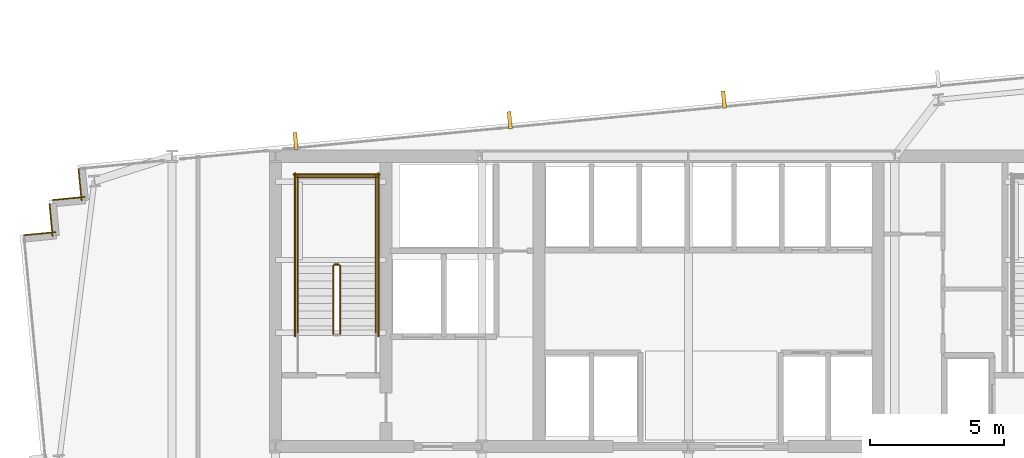
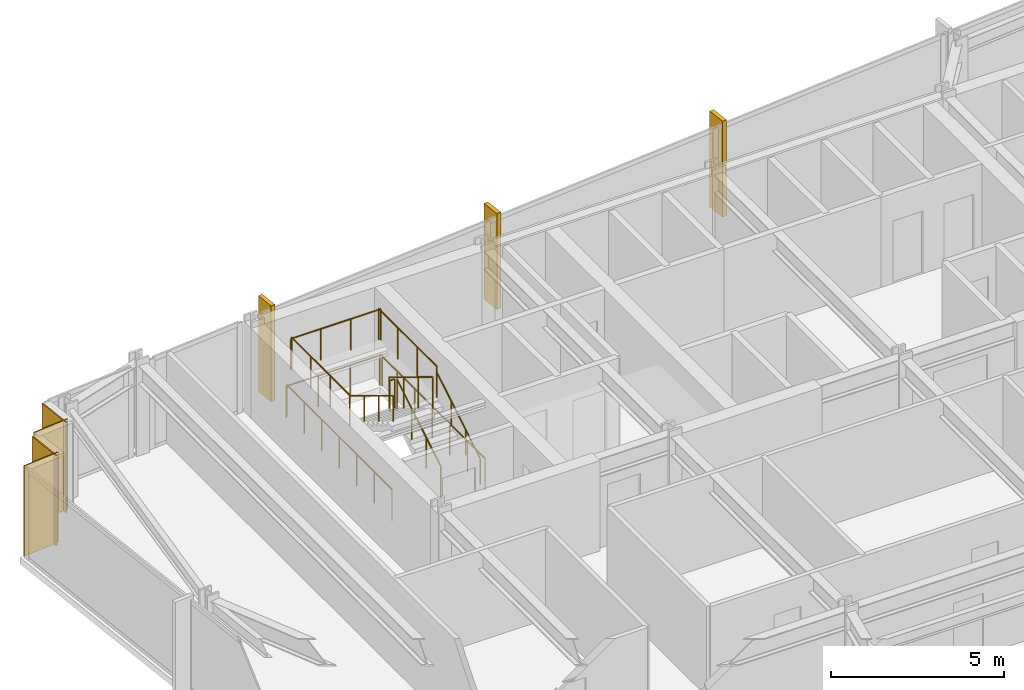
# One storey, part 31 of 32: 11 railings, 4 coverings, 3 shading devices.
"""IFC4 building model written with IfcOpenShell, lengths in metres."""

from ifc_helpers import new_model, si_unit, direction, frame, frame_2d, origin, origin_2d, place, context, subcontext, project, spatial, rectangle, circle, extrude, material, layer, layer_set, type_object, element, save


model = new_model("IFC4")

# Units and contexts
model_context = context("Model", 3, precision=1e-05, world=origin(), true_north=direction((0.0, 1.0)))
body_context = subcontext(model_context, "Body", "Model", "MODEL_VIEW")
ifc_project = project(units=[si_unit("LENGTHUNIT", "METRE"), si_unit("AREAUNIT", "SQUARE_METRE"), si_unit("VOLUMEUNIT", "CUBIC_METRE"), si_unit("PLANEANGLEUNIT", "RADIAN"), si_unit("MASSUNIT", "GRAM", prefix="KILO")], contexts=[model_context])

# Site, building, storey
site_placement = place(None, origin())
site = spatial("IfcSite", under=ifc_project, at=site_placement, CompositionType="ELEMENT")
building_placement = place(site_placement, origin())
building = spatial("IfcBuilding", under=site, at=building_placement, Name="Yelkora Congress Tower", CompositionType="ELEMENT")
storey_placement = place(building_placement, frame((0.0, 0.0, 93.10009765625)))
storey = spatial("IfcBuildingStorey", under=building, at=storey_placement, Name="L24", CompositionType="ELEMENT", Elevation=93.10009765625)

# Coverings
ifc_material_1 = material(Name="Anatolian bush-hammered limestone", Category="masonry")
ifc_layer_1 = layer(ifc_material_1, 0.0400390625)
ifc_layer_set_1 = layer_set([ifc_layer_1], Name="Anatolian bush-hammered limestone")
covering_type = type_object("IfcCoveringType", Name="COV-CLAD-SPANDREL-40", PredefinedType="CLADDING", material=ifc_layer_set_1)
for number, where, z_axis, x_axis, name in (
    (1, (13.677978515625, 43.260986328125, 0.0), (0.0, 0.0, 1.0), (0.995397091755, 0.095836473879, 0.0), "L24 Anatolian Limestone Cladding EW-L24-SR06"),
    (2, (14.7509765625, 43.228759765625, 0.0), (0.0, 0.0, 1.0), (-0.095836473879, 0.995397091755, 0.0), "L24 Anatolian Limestone Cladding EW-L24-SR07"),
):
    element("IfcCovering", number, at=place(storey_placement, frame(where, z_axis=z_axis, x_axis=x_axis)), inside=storey, type_object=covering_type, Name=name, PredefinedType="CLADDING", context=body_context, shape_type="SweptSolid", body=[
        extrude(rectangle(XDim=1.199951171875, YDim=0.0400390625, at=frame_2d((0.60009765625, 0.0))), origin(), (0.0, 0.0, 1.0), 3.179931640625),
    ])
for number, where, z_axis, x_axis, name in (
    (3, (14.75732421875, 44.570556640625, 0.0), (0.0, 0.0, 1.0), (0.995398960025, 0.095817067274, 0.0), "L24 Anatolian Limestone Cladding EW-L24-SR08"),
    (4, (15.830322265625, 44.5380859375, 0.0), (0.0, 0.0, 1.0), (-0.095817067274, 0.995398960025, 0.0), "L24 Anatolian Limestone Cladding EW-L24-SR09"),
):
    element("IfcCovering", number, at=place(storey_placement, frame(where, z_axis=z_axis, x_axis=x_axis)), inside=storey, type_object=covering_type, Name=name, PredefinedType="CLADDING", context=body_context, shape_type="SweptSolid", body=[
        extrude(rectangle(XDim=1.2001953125, YDim=0.0400390625, at=frame_2d((0.60009765625, 0.0))), origin(), (0.0, 0.0, 1.0), 3.179931640625),
    ])

# Railings
ifc_material_2 = material(Name="Painted galvanised steel stair well guard with vertical infill", Category="steel")
ifc_layer_2 = layer(ifc_material_2, 0.06005859375)
ifc_layer_set_2 = layer_set([ifc_layer_2], Name="Painted galvanised steel stair well guard with vertical infill")
railing_type_1 = type_object("IfcRailingType", Name="RAIL-STAIR-GUARD-1120", PredefinedType="GUARDRAIL", material=ifc_layer_set_2)
railing_1_placement = place(storey_placement, frame((25.449951171875, 39.60009765625, 0.169921875)))
element("IfcRailing", 5, at=railing_1_placement, inside=storey, type_object=railing_type_1, Name="ST-01 L24 Stair Well Guardrail 1", PredefinedType="GUARDRAIL", context=body_context, shape_type="SweptSolid", body=[
    extrude(circle(Radius=0.02392578125, at=origin_2d()), frame((0.0, 0.0, 1.09619140625), z_axis=(0.0, 0.85478489116, 0.518982456201), x_axis=(-1.0, 0.0, 0.0)), (0.0, 0.0, 1.0), 2.9482421875),
    extrude(circle(Radius=0.02099609375, at=origin_2d()), origin(), (0.0, 0.0, 1.0), 1.072021484375),
    extrude(circle(Radius=0.02099609375, at=origin_2d()), frame((0.0, 0.840087890625, 0.510009765625)), (0.0, 0.0, 1.0), 1.072021484375),
    extrude(circle(Radius=0.02099609375, at=origin_2d()), frame((0.0, 1.679931640625, 1.02001953125)), (0.0, 0.0, 1.0), 1.072021484375),
    extrude(circle(Radius=0.02099609375, at=origin_2d()), frame((0.0, 2.52001953125, 1.530029296875)), (0.0, 0.0, 1.0), 1.072021484375),
])
railing_2_placement = place(storey_placement, frame((25.39990234375, 42.169921875, 1.699951171875)))
element("IfcRailing", 6, at=railing_2_placement, inside=storey, type_object=railing_type_1, Name="ST-01 L24 Stair Well Guardrail 2", PredefinedType="GUARDRAIL", context=body_context, shape_type="SweptSolid", body=[
    extrude(circle(Radius=0.02392578125, at=origin_2d()), frame((0.0, 0.0, 1.09619140625), z_axis=(-1.0, 0.0, 0.0), x_axis=(0.0, -1.0, 0.0)), (0.0, 0.0, 1.0), 0.159912109375),
    extrude(circle(Radius=0.02099609375, at=origin_2d()), origin(), (0.0, 0.0, 1.0), 1.072021484375),
    extrude(circle(Radius=0.02099609375, at=origin_2d()), frame((-0.159912109375, 0.0, 0.0)), (0.0, 0.0, 1.0), 1.072021484375),
])
for number, where, name in (
    (7, (26.77001953125, 42.1201171875, 1.699951171875), "ST-01 L24 Stair Well Guardrail 3"),
    (8, (23.8701171875, 42.1201171875, 1.699951171875), "ST-01 L24 Stair Well Guardrail 4"),
):
    element("IfcRailing", number, at=place(storey_placement, frame(where)), inside=storey, type_object=railing_type_1, Name=name, PredefinedType="GUARDRAIL", context=body_context, shape_type="SweptSolid", body=[
        extrude(circle(Radius=0.02392578125, at=origin_2d()), frame((0.0, 0.0, 1.09619140625), z_axis=(0.0, 1.0, 0.0), x_axis=(-1.0, 0.0, 0.0)), (0.0, 0.0, 1.0), 3.349853515625),
        extrude(circle(Radius=0.02099609375, at=origin_2d()), origin(), (0.0, 0.0, 1.0), 1.072021484375),
        extrude(circle(Radius=0.02099609375, at=origin_2d()), frame((0.0, 1.11669921875, 0.0)), (0.0, 0.0, 1.0), 1.072021484375),
        extrude(circle(Radius=0.02099609375, at=origin_2d()), frame((0.0, 2.233154296875, 0.0)), (0.0, 0.0, 1.0), 1.072021484375),
        extrude(circle(Radius=0.02099609375, at=origin_2d()), frame((0.0, 3.349853515625, 0.0)), (0.0, 0.0, 1.0), 1.072021484375),
    ])
railing_3_placement = place(storey_placement, frame((26.820068359375, 45.419921875, 1.699951171875)))
element("IfcRailing", 9, at=railing_3_placement, inside=storey, type_object=railing_type_1, Name="ST-01 L24 Stair Well Guardrail 5", PredefinedType="GUARDRAIL", context=body_context, shape_type="SweptSolid", body=[
    extrude(circle(Radius=0.02392578125, at=origin_2d()), frame((0.0, 0.0, 1.09619140625), z_axis=(-1.0, 0.0, 0.0), x_axis=(0.0, -1.0, 0.0)), (0.0, 0.0, 1.0), 3.0),
    extrude(circle(Radius=0.02099609375, at=origin_2d()), origin(), (0.0, 0.0, 1.0), 1.072021484375),
    extrude(circle(Radius=0.02099609375, at=origin_2d()), frame((-1.0, 0.0, 0.0)), (0.0, 0.0, 1.0), 1.072021484375),
    extrude(circle(Radius=0.02099609375, at=origin_2d()), frame((-2.0, 0.0, 0.0)), (0.0, 0.0, 1.0), 1.072021484375),
    extrude(circle(Radius=0.02099609375, at=origin_2d()), frame((-3.0, 0.0, 0.0)), (0.0, 0.0, 1.0), 1.072021484375),
])
railing_4_placement = place(storey_placement, frame((25.18994140625, 42.1201171875, 1.869873046875)))
element("IfcRailing", 10, at=railing_4_placement, inside=storey, type_object=railing_type_1, Name="ST-01 L24 Stair Well Guardrail 6", PredefinedType="GUARDRAIL", context=body_context, shape_type="SweptSolid", body=[
    extrude(circle(Radius=0.02392578125, at=origin_2d()), frame((0.0, 0.0, 1.09619140625), z_axis=(0.0, -0.85478489116, 0.518982456201), x_axis=(1.0, 0.0, 0.0)), (0.0, 0.0, 1.0), 2.9482421875),
    extrude(circle(Radius=0.02099609375, at=origin_2d()), origin(), (0.0, 0.0, 1.0), 1.072021484375),
    extrude(circle(Radius=0.02099609375, at=origin_2d()), frame((0.0, -0.840087890625, 0.510009765625)), (0.0, 0.0, 1.0), 1.072021484375),
    extrude(circle(Radius=0.02099609375, at=origin_2d()), frame((0.0, -1.679931640625, 1.02001953125)), (0.0, 0.0, 1.0), 1.072021484375),
    extrude(circle(Radius=0.02099609375, at=origin_2d()), frame((0.0, -2.52001953125, 1.530029296875)), (0.0, 0.0, 1.0), 1.072021484375),
])
for number, where, name in (
    (11, (26.8701171875, 39.5, 0.0), "ST-01 L24 Stair Well Guardrail 10"),
    (12, (23.77001953125, 39.5, 0.0), "ST-01 L24 Stair Well Guardrail 11"),
):
    element("IfcRailing", number, at=place(storey_placement, frame(where)), inside=storey, type_object=railing_type_1, Name=name, PredefinedType="GUARDRAIL", context=body_context, shape_type="SweptSolid", body=[
        extrude(circle(Radius=0.02392578125, at=origin_2d()), frame((0.0, 0.0, 1.09619140625), z_axis=(0.0, 1.0, 0.0), x_axis=(-1.0, 0.0, 0.0)), (0.0, 0.0, 1.0), 6.070068359375),
        extrude(circle(Radius=0.02099609375, at=origin_2d()), origin(), (0.0, 0.0, 1.0), 1.072021484375),
        extrude(circle(Radius=0.02099609375, at=origin_2d()), frame((0.0, 1.01171875, 0.0)), (0.0, 0.0, 1.0), 1.072021484375),
        extrude(circle(Radius=0.02099609375, at=origin_2d()), frame((0.0, 2.0234375, 0.0)), (0.0, 0.0, 1.0), 1.072021484375),
        extrude(circle(Radius=0.02099609375, at=origin_2d()), frame((0.0, 3.03515625, 0.0)), (0.0, 0.0, 1.0), 1.072021484375),
        extrude(circle(Radius=0.02099609375, at=origin_2d()), frame((0.0, 4.046630859375, 0.0)), (0.0, 0.0, 1.0), 1.072021484375),
        extrude(circle(Radius=0.02099609375, at=origin_2d()), frame((0.0, 5.058349609375, 0.0)), (0.0, 0.0, 1.0), 1.072021484375),
        extrude(circle(Radius=0.02099609375, at=origin_2d()), frame((0.0, 6.070068359375, 0.0)), (0.0, 0.0, 1.0), 1.072021484375),
    ])
railing_5_placement = place(storey_placement, frame((26.919921875, 45.52001953125, 0.0)))
element("IfcRailing", 13, at=railing_5_placement, inside=storey, type_object=railing_type_1, Name="ST-01 L24 Stair Well Guardrail 12", PredefinedType="GUARDRAIL", context=body_context, shape_type="SweptSolid", body=[
    extrude(circle(Radius=0.02392578125, at=origin_2d()), frame((0.0, 0.0, 1.09619140625), z_axis=(-1.0, 0.0, 0.0), x_axis=(0.0, -1.0, 0.0)), (0.0, 0.0, 1.0), 3.199951171875),
    extrude(circle(Radius=0.02099609375, at=origin_2d()), origin(), (0.0, 0.0, 1.0), 1.072021484375),
    extrude(circle(Radius=0.02099609375, at=origin_2d()), frame((-1.066650390625, 0.0, 0.0)), (0.0, 0.0, 1.0), 1.072021484375),
    extrude(circle(Radius=0.02099609375, at=origin_2d()), frame((-2.13330078125, 0.0, 0.0)), (0.0, 0.0, 1.0), 1.072021484375),
    extrude(circle(Radius=0.02099609375, at=origin_2d()), frame((-3.199951171875, 0.0, 0.0)), (0.0, 0.0, 1.0), 1.072021484375),
])
ifc_material_3 = material(Name="Brushed stainless steel tubular handrail", Category="steel")
ifc_layer_3 = layer(ifc_material_3, 0.050048828125)
ifc_layer_set_3 = layer_set([ifc_layer_3], Name="Brushed stainless steel tubular handrail")
railing_type_2 = type_object("IfcRailingType", Name="RAIL-STAIR-HAND-920", PredefinedType="HANDRAIL", material=ifc_layer_set_3)
railing_6_placement = place(storey_placement, frame((26.77001953125, 39.60009765625, 0.169921875)))
element("IfcRailing", 14, at=railing_6_placement, inside=storey, type_object=railing_type_2, Name="ST-01 L24 Pitch Handrail 1", PredefinedType="HANDRAIL", context=body_context, shape_type="SweptSolid", body=[
    extrude(circle(Radius=0.02392578125, at=origin_2d()), frame((0.0, 0.0, 0.89599609375), z_axis=(0.0, 0.85478489116, 0.518982456201), x_axis=(-1.0, 0.0, 0.0)), (0.0, 0.0, 1.0), 2.9482421875),
    extrude(circle(Radius=0.02099609375, at=origin_2d()), origin(), (0.0, 0.0, 1.0), 0.871826171875),
    extrude(circle(Radius=0.02099609375, at=origin_2d()), frame((0.0, 0.840087890625, 0.510009765625)), (0.0, 0.0, 1.0), 0.871826171875),
    extrude(circle(Radius=0.02099609375, at=origin_2d()), frame((0.0, 1.679931640625, 1.02001953125)), (0.0, 0.0, 1.0), 0.871826171875),
    extrude(circle(Radius=0.02099609375, at=origin_2d()), frame((0.0, 2.52001953125, 1.530029296875)), (0.0, 0.0, 1.0), 0.871826171875),
])
railing_7_placement = place(storey_placement, frame((23.8701171875, 42.1201171875, 1.869873046875)))
element("IfcRailing", 15, at=railing_7_placement, inside=storey, type_object=railing_type_2, Name="ST-01 L24 Pitch Handrail 2", PredefinedType="HANDRAIL", context=body_context, shape_type="SweptSolid", body=[
    extrude(circle(Radius=0.02392578125, at=origin_2d()), frame((0.0, 0.0, 0.89599609375), z_axis=(0.0, -0.85478489116, 0.518982456201), x_axis=(1.0, 0.0, 0.0)), (0.0, 0.0, 1.0), 2.9482421875),
    extrude(circle(Radius=0.02099609375, at=origin_2d()), origin(), (0.0, 0.0, 1.0), 0.871826171875),
    extrude(circle(Radius=0.02099609375, at=origin_2d()), frame((0.0, -0.840087890625, 0.510009765625)), (0.0, 0.0, 1.0), 0.871826171875),
    extrude(circle(Radius=0.02099609375, at=origin_2d()), frame((0.0, -1.679931640625, 1.02001953125)), (0.0, 0.0, 1.0), 0.871826171875),
    extrude(circle(Radius=0.02099609375, at=origin_2d()), frame((0.0, -2.52001953125, 1.530029296875)), (0.0, 0.0, 1.0), 0.871826171875),
])

# Shading devices
ifc_material_4 = material(Name="Champagne anodised aluminium", Category="aluminium")
ifc_layer_4 = layer(ifc_material_4, 3.39990234375)
ifc_layer_set_4 = layer_set([ifc_layer_4], Name="Champagne anodised aluminium")
shading_device_type = type_object("IfcShadingDeviceType", Name="SHD-FIN-ALU-640", PredefinedType="USERDEFINED", material=ifc_layer_set_4)
for number, where, z_axis, x_axis, name in (
    (16, (23.791015625, 46.771484375, -0.030029296875), (0.0, 0.0, 1.0), (0.995396198367, 0.09584575252, 0.0), "L24 Vertical Anodised Solar Fin 10-1"),
    (17, (31.7568359375, 47.53857421875, -0.030029296875), (0.0, 0.0, 1.0), (0.995396198367, 0.09584575252, 0.0), "L24 Vertical Anodised Solar Fin 10-2"),
    (18, (39.722900390625, 48.3056640625, -0.030029296875), (0.0, 0.0, 1.0), (0.995396198367, 0.09584575252, 0.0), "L24 Vertical Anodised Solar Fin 10-3"),
):
    element("IfcShadingDevice", number, at=place(storey_placement, frame(where, z_axis=z_axis, x_axis=x_axis)), inside=storey, type_object=shading_device_type, Name=name, ObjectType="FIN", PredefinedType="USERDEFINED", context=body_context, shape_type="SweptSolid", body=[
        extrude(rectangle(XDim=0.139892578125, YDim=0.639892578125, at=origin_2d()), origin(), (0.0, 0.0, 1.0), 3.3798828125),
    ])

save(model, "model.ifc")
